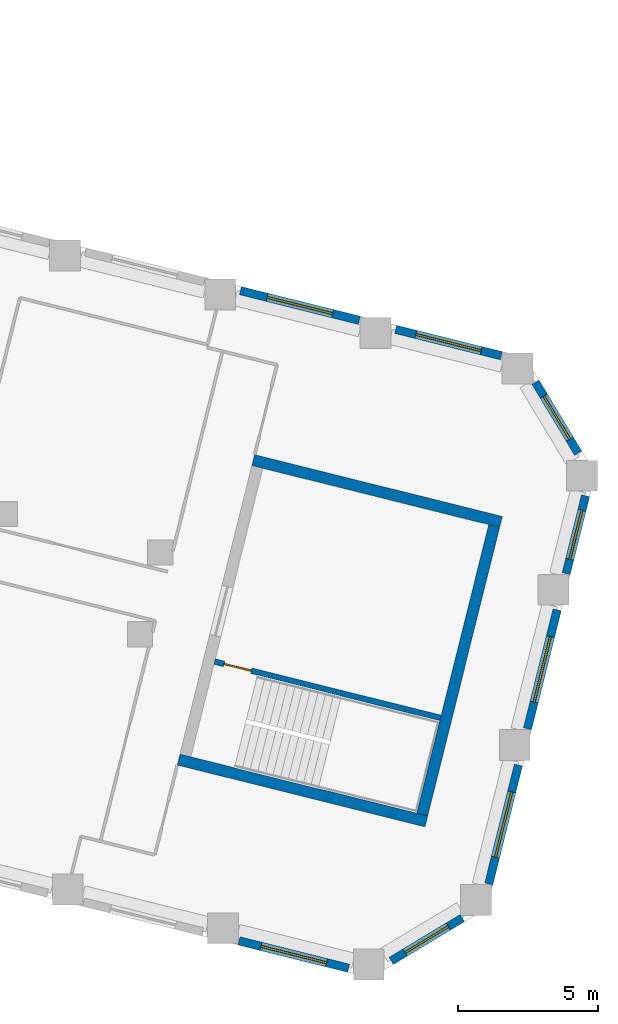
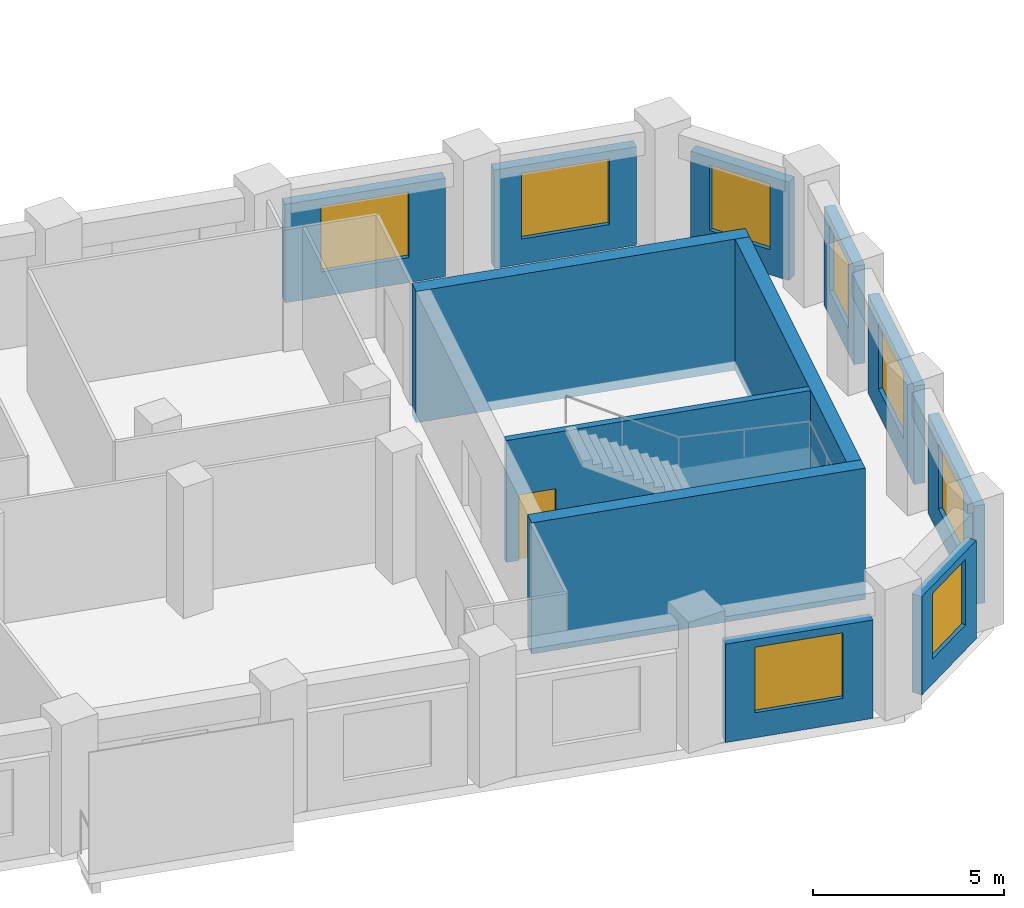
# One storey, part 7 of 10: 12 walls, 8 windows, 1 door, 9 openings.
"""IFC4 building model written with IfcOpenShell, lengths in metres."""

from ifc_helpers import new_model, si_unit, direction, frame, frame_2d, origin, place, context, subcontext, project, spatial, rectangle, extrude, material, layer, layer_set, type_object, element, fill, save


model = new_model("IFC4")

# Units and contexts
model_context = context("Model", 3, precision=1e-05, world=origin(), true_north=direction((0.0, 1.0)))
body_context = subcontext(model_context, "Body", "Model", "MODEL_VIEW")
ifc_project = project(units=[si_unit("LENGTHUNIT", "METRE"), si_unit("AREAUNIT", "SQUARE_METRE"), si_unit("VOLUMEUNIT", "CUBIC_METRE"), si_unit("PLANEANGLEUNIT", "RADIAN"), si_unit("MASSUNIT", "GRAM", prefix="KILO")], contexts=[model_context])

# Site, building, storey
site_placement = place(None, origin())
site = spatial("IfcSite", under=ifc_project, at=site_placement, CompositionType="ELEMENT")
building_placement = place(site_placement, origin())
building = spatial("IfcBuilding", under=site, at=building_placement, Name="Meshkara Civic Tower", CompositionType="ELEMENT")
storey_placement = place(building_placement, frame((0.0, 0.0, 229.800048828125)))
storey = spatial("IfcBuildingStorey", under=building, at=storey_placement, Name="L52", CompositionType="ELEMENT", Elevation=229.800048828125)

# Wall, opening, window
ifc_material_1 = material(Name="Insulated infill panel with bronze anodised aluminium cladding", Category="aluminium")
ifc_layer_1 = layer(ifc_material_1, 0.300048828125)
ifc_layer_set_1 = layer_set([ifc_layer_1], Name="EXTERNAL INFILL WALL 300")
wall_type_1 = type_object("IfcWallType", Name="EXTERNAL INFILL WALL 300", PredefinedType="SOLIDWALL", material=ifc_layer_set_1)
wall_1_placement = place(storey_placement, frame((71.02001953125, 5.635986328125, 0.0), z_axis=(0.0, 0.0, 1.0), x_axis=(-0.970297701374, 0.241913973777, 0.0)))
wall_1 = element("IfcWall", 1, at=wall_1_placement, inside=storey, type_object=wall_type_1, Name="External wall", PredefinedType="SOLIDWALL", context=body_context, shape_type="SweptSolid", body=[
    extrude(rectangle(XDim=3.88134765625, YDim=0.300048828125, at=frame_2d((1.940673828125, 0.0))), origin(), (0.0, 0.0, 1.0), 3.14990234375),
])
opening_1_placement = place(wall_1_placement, frame((0.740966796875, 0.0, 0.800048828125)))
opening_1 = element("IfcOpeningElement", 2, at=opening_1_placement, cuts=wall_1, Name="Opening W7", PredefinedType="OPENING", context=body_context, shape_type="SweptSolid", body=[
    extrude(rectangle(XDim=2.39990234375, YDim=2.10009765625, at=frame_2d((1.199951171875, 1.050048828125))), frame((0.0, 0.159912109375, 0.0), z_axis=(0.0, -1.0, 0.0), x_axis=(1.0, 0.0, 0.0)), (0.0, 0.0, 1.0), 0.320068359375),
])
ifc_material_2 = material(Name="Tinted double glazing", Category="glass")
window_type_1 = type_object("IfcWindowType", Name="WINDOW 2400x2100", PartitioningType="DOUBLE_PANEL_VERTICAL", PredefinedType="WINDOW", material=ifc_material_2)
window_1_placement = place(opening_1_placement, origin())
window_1 = element("IfcWindow", 3, at=window_1_placement, inside=storey, type_object=window_type_1, Name="Window", OverallHeight=2.10009765625, OverallWidth=2.39990234375, PartitioningType="DOUBLE_PANEL_VERTICAL", PredefinedType="WINDOW", context=body_context, shape_type="SweptSolid", body=[
    extrude(rectangle(XDim=2.39990234375, YDim=2.10009765625, at=frame_2d((1.199951171875, 1.050048828125))), frame((0.0, 0.030029296875, 0.0), z_axis=(0.0, -1.0, 0.0), x_axis=(1.0, 0.0, 0.0)), (0.0, 0.0, 1.0), 0.06005859375),
])
fill(opening_1, window_1)

wall_2_placement = place(storey_placement, frame((65.9599609375, 6.89794921875, 0.0), z_axis=(0.0, 0.0, 1.0), x_axis=(-0.970309996763, 0.241864652607, 0.0)))
wall_2 = element("IfcWall", 4, at=wall_2_placement, inside=storey, type_object=wall_type_1, Name="External wall", PredefinedType="SOLIDWALL", context=body_context, shape_type="SweptSolid", body=[
    extrude(rectangle(XDim=4.36669921875, YDim=0.300048828125, at=frame_2d((2.183349609375, 0.0))), origin(), (0.0, 0.0, 1.0), 3.14990234375),
])
opening_2_placement = place(wall_2_placement, frame((0.98291015625, 0.0, 0.800048828125)))
opening_2 = element("IfcOpeningElement", 5, at=opening_2_placement, cuts=wall_2, Name="Opening W7", PredefinedType="OPENING", context=body_context, shape_type="SweptSolid", body=[
    extrude(rectangle(XDim=2.39990234375, YDim=2.10009765625, at=frame_2d((1.199951171875, 1.050048828125))), frame((0.0, 0.159912109375, 0.0), z_axis=(0.0, -1.0, 0.0), x_axis=(1.0, 0.0, 0.0)), (0.0, 0.0, 1.0), 0.320068359375),
])
window_2_placement = place(opening_2_placement, origin())
window_2 = element("IfcWindow", 6, at=window_2_placement, inside=storey, type_object=window_type_1, Name="Window", OverallHeight=2.10009765625, OverallWidth=2.39990234375, PartitioningType="DOUBLE_PANEL_VERTICAL", PredefinedType="WINDOW", context=body_context, shape_type="SweptSolid", body=[
    extrude(rectangle(XDim=2.39990234375, YDim=2.10009765625, at=frame_2d((1.199951171875, 1.050048828125))), frame((0.0, 0.030029296875, 0.0), z_axis=(0.0, -1.0, 0.0), x_axis=(1.0, 0.0, 0.0)), (0.0, 0.0, 1.0), 0.06005859375),
])
fill(opening_2, window_2)

wall_3_placement = place(storey_placement, frame((61.6708984375, -15.220947265625, 0.0), z_axis=(0.0, 0.0, 1.0), x_axis=(0.97026726112, -0.242036034503, 0.0)))
wall_3 = element("IfcWall", 7, at=wall_3_placement, inside=storey, type_object=wall_type_1, Name="External wall", PredefinedType="SOLIDWALL", context=body_context, shape_type="SweptSolid", body=[
    extrude(rectangle(XDim=4.024658203125, YDim=0.300048828125, at=frame_2d((2.01220703125, 0.0))), origin(), (0.0, 0.0, 1.0), 3.14990234375),
])
opening_3_placement = place(wall_3_placement, frame((0.81201171875, 0.0, 0.800048828125)))
opening_3 = element("IfcOpeningElement", 8, at=opening_3_placement, cuts=wall_3, Name="Opening W7", PredefinedType="OPENING", context=body_context, shape_type="SweptSolid", body=[
    extrude(rectangle(XDim=2.39990234375, YDim=2.10009765625, at=frame_2d((1.199951171875, 1.050048828125))), frame((0.0, 0.159912109375, 0.0), z_axis=(0.0, -1.0, 0.0), x_axis=(1.0, 0.0, 0.0)), (0.0, 0.0, 1.0), 0.320068359375),
])
window_3_placement = place(opening_3_placement, origin())
window_3 = element("IfcWindow", 9, at=window_3_placement, inside=storey, type_object=window_type_1, Name="Window", OverallHeight=2.10009765625, OverallWidth=2.39990234375, PartitioningType="DOUBLE_PANEL_VERTICAL", PredefinedType="WINDOW", context=body_context, shape_type="SweptSolid", body=[
    extrude(rectangle(XDim=2.39990234375, YDim=2.10009765625, at=frame_2d((1.199951171875, 1.050048828125))), frame((0.0, 0.030029296875, 0.0), z_axis=(0.0, -1.0, 0.0), x_axis=(1.0, 0.0, 0.0)), (0.0, 0.0, 1.0), 0.06005859375),
])
fill(opening_3, window_3)

wall_4_placement = place(storey_placement, frame((67.097900390625, -15.93408203125, 0.0), z_axis=(0.0, 0.0, 1.0), x_axis=(0.857077006791, 0.515188319384, 0.0)))
wall_4 = element("IfcWall", 10, at=wall_4_placement, inside=storey, type_object=wall_type_1, Name="External wall", PredefinedType="SOLIDWALL", context=body_context, shape_type="SweptSolid", body=[
    extrude(rectangle(XDim=2.9541015625, YDim=0.300048828125, at=frame_2d((1.47705078125, 0.0))), origin(), (0.0, 0.0, 1.0), 3.14990234375),
])
opening_4_placement = place(wall_4_placement, frame((0.576904296875, 0.0, 0.800048828125)))
opening_4 = element("IfcOpeningElement", 11, at=opening_4_placement, cuts=wall_4, Name="Opening W9", PredefinedType="OPENING", context=body_context, shape_type="SweptSolid", body=[
    extrude(rectangle(XDim=1.800048828125, YDim=2.10009765625, at=frame_2d((0.89990234375, 1.050048828125))), frame((0.0, 0.159912109375, 0.0), z_axis=(0.0, -1.0, 0.0), x_axis=(1.0, 0.0, 0.0)), (0.0, 0.0, 1.0), 0.320068359375),
])
ifc_material_3 = material(Name="Tinted double glazing", Category="glass")
window_type_2 = type_object("IfcWindowType", Name="WINDOW 1800x2100", PartitioningType="DOUBLE_PANEL_VERTICAL", PredefinedType="WINDOW", material=ifc_material_3)
window_4_placement = place(opening_4_placement, origin())
window_4 = element("IfcWindow", 12, at=window_4_placement, inside=storey, type_object=window_type_2, Name="Window", OverallHeight=2.10009765625, OverallWidth=1.800048828125, PartitioningType="DOUBLE_PANEL_VERTICAL", PredefinedType="WINDOW", context=body_context, shape_type="SweptSolid", body=[
    extrude(rectangle(XDim=1.800048828125, YDim=2.10009765625, at=frame_2d((0.89990234375, 1.050048828125))), frame((0.0, 0.030029296875, 0.0), z_axis=(0.0, -1.0, 0.0), x_axis=(1.0, 0.0, 0.0)), (0.0, 0.0, 1.0), 0.06005859375),
])
fill(opening_4, window_4)

wall_5_placement = place(storey_placement, frame((70.574951171875, -13.19189453125, 0.0), z_axis=(0.0, 0.0, 1.0), x_axis=(0.241877774353, 0.970306725873, 0.0)))
wall_5 = element("IfcWall", 13, at=wall_5_placement, inside=storey, type_object=wall_type_1, Name="External wall", PredefinedType="SOLIDWALL", context=body_context, shape_type="SweptSolid", body=[
    extrude(rectangle(XDim=4.366455078125, YDim=0.300048828125, at=frame_2d((2.18310546875, 0.0))), origin(), (0.0, 0.0, 1.0), 3.14990234375),
])
opening_5_placement = place(wall_5_placement, frame((0.98291015625, 0.0, 0.800048828125)))
opening_5 = element("IfcOpeningElement", 14, at=opening_5_placement, cuts=wall_5, Name="Opening W7", PredefinedType="OPENING", context=body_context, shape_type="SweptSolid", body=[
    extrude(rectangle(XDim=2.39990234375, YDim=2.10009765625, at=frame_2d((1.199951171875, 1.050048828125))), frame((0.0, 0.159912109375, 0.0), z_axis=(0.0, -1.0, 0.0), x_axis=(1.0, 0.0, 0.0)), (0.0, 0.0, 1.0), 0.320068359375),
])
window_5_placement = place(opening_5_placement, origin())
window_5 = element("IfcWindow", 15, at=window_5_placement, inside=storey, type_object=window_type_1, Name="Window", OverallHeight=2.10009765625, OverallWidth=2.39990234375, PartitioningType="DOUBLE_PANEL_VERTICAL", PredefinedType="WINDOW", context=body_context, shape_type="SweptSolid", body=[
    extrude(rectangle(XDim=2.39990234375, YDim=2.10009765625, at=frame_2d((1.199951171875, 1.050048828125))), frame((0.0, 0.030029296875, 0.0), z_axis=(0.0, -1.0, 0.0), x_axis=(1.0, 0.0, 0.0)), (0.0, 0.0, 1.0), 0.06005859375),
])
fill(opening_5, window_5)

wall_6_placement = place(storey_placement, frame((71.9541015625, -7.660888671875, 0.0), z_axis=(0.0, 0.0, 1.0), x_axis=(0.241877622649, 0.97030676369, 0.0)))
wall_6 = element("IfcWall", 16, at=wall_6_placement, inside=storey, type_object=wall_type_1, Name="External wall", PredefinedType="SOLIDWALL", context=body_context, shape_type="SweptSolid", body=[
    extrude(rectangle(XDim=4.365478515625, YDim=0.300048828125, at=frame_2d((2.1826171875, 0.0))), origin(), (0.0, 0.0, 1.0), 3.14990234375),
])
opening_6_placement = place(wall_6_placement, frame((0.98291015625, 0.0, 0.800048828125)))
opening_6 = element("IfcOpeningElement", 17, at=opening_6_placement, cuts=wall_6, Name="Opening W7", PredefinedType="OPENING", context=body_context, shape_type="SweptSolid", body=[
    extrude(rectangle(XDim=2.39990234375, YDim=2.10009765625, at=frame_2d((1.199951171875, 1.050048828125))), frame((0.0, 0.159912109375, 0.0), z_axis=(0.0, -1.0, 0.0), x_axis=(1.0, 0.0, 0.0)), (0.0, 0.0, 1.0), 0.320068359375),
])
window_6_placement = place(opening_6_placement, origin())
window_6 = element("IfcWindow", 18, at=window_6_placement, inside=storey, type_object=window_type_1, Name="Window", OverallHeight=2.10009765625, OverallWidth=2.39990234375, PartitioningType="DOUBLE_PANEL_VERTICAL", PredefinedType="WINDOW", context=body_context, shape_type="SweptSolid", body=[
    extrude(rectangle(XDim=2.39990234375, YDim=2.10009765625, at=frame_2d((1.199951171875, 1.050048828125))), frame((0.0, 0.030029296875, 0.0), z_axis=(0.0, -1.0, 0.0), x_axis=(1.0, 0.0, 0.0)), (0.0, 0.0, 1.0), 0.06005859375),
])
fill(opening_6, window_6)

wall_7_placement = place(storey_placement, frame((73.3330078125, -2.131103515625, 0.0), z_axis=(0.0, 0.0, 1.0), x_axis=(0.241770612026, 0.970333432981, 0.0)))
wall_7 = element("IfcWall", 19, at=wall_7_placement, inside=storey, type_object=wall_type_1, Name="External wall", PredefinedType="SOLIDWALL", context=body_context, shape_type="SweptSolid", body=[
    extrude(rectangle(XDim=2.853759765625, YDim=0.300048828125, at=frame_2d((1.4267578125, 0.0))), origin(), (0.0, 0.0, 1.0), 3.14990234375),
])
opening_7_placement = place(wall_7_placement, frame((0.527099609375, 0.0, 0.800048828125)))
opening_7 = element("IfcOpeningElement", 20, at=opening_7_placement, cuts=wall_7, Name="Opening W9", PredefinedType="OPENING", context=body_context, shape_type="SweptSolid", body=[
    extrude(rectangle(XDim=1.800048828125, YDim=2.10009765625, at=frame_2d((0.89990234375, 1.050048828125))), frame((0.0, 0.159912109375, 0.0), z_axis=(0.0, -1.0, 0.0), x_axis=(1.0, 0.0, 0.0)), (0.0, 0.0, 1.0), 0.320068359375),
])
window_7_placement = place(opening_7_placement, origin())
window_7 = element("IfcWindow", 21, at=window_7_placement, inside=storey, type_object=window_type_2, Name="Window", OverallHeight=2.10009765625, OverallWidth=1.800048828125, PartitioningType="DOUBLE_PANEL_VERTICAL", PredefinedType="WINDOW", context=body_context, shape_type="SweptSolid", body=[
    extrude(rectangle(XDim=1.800048828125, YDim=2.10009765625, at=frame_2d((0.89990234375, 1.050048828125))), frame((0.0, 0.030029296875, 0.0), z_axis=(0.0, -1.0, 0.0), x_axis=(1.0, 0.0, 0.0)), (0.0, 0.0, 1.0), 0.06005859375),
])
fill(opening_7, window_7)

wall_8_placement = place(storey_placement, frame((73.761962890625, 2.159912109375, 0.0), z_axis=(0.0, 0.0, 1.0), x_axis=(-0.515334317037, 0.856989230786, 0.0)))
wall_8 = element("IfcWall", 22, at=wall_8_placement, inside=storey, type_object=wall_type_1, Name="External wall", PredefinedType="SOLIDWALL", context=body_context, shape_type="SweptSolid", body=[
    extrude(rectangle(XDim=2.953369140625, YDim=0.300048828125, at=frame_2d((1.4765625, 0.0))), origin(), (0.0, 0.0, 1.0), 3.14990234375),
])
opening_8_placement = place(wall_8_placement, frame((0.576904296875, 0.0, 0.800048828125)))
opening_8 = element("IfcOpeningElement", 23, at=opening_8_placement, cuts=wall_8, Name="Opening W9", PredefinedType="OPENING", context=body_context, shape_type="SweptSolid", body=[
    extrude(rectangle(XDim=1.800048828125, YDim=2.10009765625, at=frame_2d((0.89990234375, 1.050048828125))), frame((0.0, 0.159912109375, 0.0), z_axis=(0.0, -1.0, 0.0), x_axis=(1.0, 0.0, 0.0)), (0.0, 0.0, 1.0), 0.320068359375),
])
window_8_placement = place(opening_8_placement, origin())
window_8 = element("IfcWindow", 24, at=window_8_placement, inside=storey, type_object=window_type_2, Name="Window", OverallHeight=2.10009765625, OverallWidth=1.800048828125, PartitioningType="DOUBLE_PANEL_VERTICAL", PredefinedType="WINDOW", context=body_context, shape_type="SweptSolid", body=[
    extrude(rectangle(XDim=1.800048828125, YDim=2.10009765625, at=frame_2d((0.89990234375, 1.050048828125))), frame((0.0, 0.030029296875, 0.0), z_axis=(0.0, -1.0, 0.0), x_axis=(1.0, 0.0, 0.0)), (0.0, 0.0, 1.0), 0.06005859375),
])
fill(opening_8, window_8)

# Walls
ifc_material_4 = material(Name="Concrete C60", Category="concrete")
ifc_layer_2 = layer(ifc_material_4, 0.39990234375)
ifc_layer_set_2 = layer_set([ifc_layer_2], Name="End core ring wall 400 C60")
wall_type_2 = type_object("IfcWallType", Name="End core ring wall 400 C60", PredefinedType="SHEAR", material=ifc_layer_set_2)
wall_9_placement = place(storey_placement, frame((59.51904296875, -8.759033203125, -0.300048828125), z_axis=(0.0, 0.0, 1.0), x_axis=(0.970287509026, -0.241954850805, 0.0)))
element("IfcWall", 25, at=wall_9_placement, inside=storey, type_object=wall_type_2, Name="L52-C028", PredefinedType="SHEAR", context=body_context, shape_type="SweptSolid", body=[
    extrude(rectangle(XDim=9.1005859375, YDim=0.39990234375, at=frame_2d((4.55029296875, 0.0))), origin(), (0.0, 0.0, 1.0), 4.199951171875),
])
wall_10_placement = place(storey_placement, frame((62.179931640625, 1.9140625, -0.300048828125), z_axis=(0.0, 0.0, 1.0), x_axis=(0.970306400786, -0.241879078453, 0.0)))
element("IfcWall", 26, at=wall_10_placement, inside=storey, type_object=wall_type_2, Name="L52-C029", PredefinedType="SHEAR", context=body_context, shape_type="SweptSolid", body=[
    extrude(rectangle(XDim=9.100341796875, YDim=0.39990234375, at=frame_2d((4.55029296875, 0.0))), origin(), (0.0, 0.0, 1.0), 4.199951171875),
])
wall_11_placement = place(storey_placement, frame((68.202880859375, -10.718017578125, -0.300048828125), z_axis=(0.0, 0.0, 1.0), x_axis=(0.241912337509, 0.970298109326, 0.0)))
element("IfcWall", 27, at=wall_11_placement, inside=storey, type_object=wall_type_2, Name="L52-C031", PredefinedType="SHEAR", context=body_context, shape_type="SweptSolid", body=[
    extrude(rectangle(XDim=10.599853515625, YDim=0.39990234375, at=frame_2d((5.2998046875, 0.0))), origin(), (0.0, 0.0, 1.0), 4.199951171875),
])

# Wall, opening, door
ifc_material_5 = material(Name="Concrete C40/50", Category="concrete")
ifc_layer_3 = layer(ifc_material_5, 0.199951171875)
ifc_layer_set_3 = layer_set([ifc_layer_3], Name="Stair enclosure wall 200 C40/50")
wall_type_3 = type_object("IfcWallType", Name="Stair enclosure wall 200 C40/50", PredefinedType="SOLIDWALL", material=ifc_layer_set_3)
wall_12_placement = place(storey_placement, frame((60.802001953125, -5.26611328125, 0.0), z_axis=(0.0, 0.0, 1.0), x_axis=(0.970303192681, -0.241891947516, 0.0)))
wall_12 = element("IfcWall", 28, at=wall_12_placement, inside=storey, type_object=wall_type_3, Name="L52-C032", PredefinedType="SOLIDWALL", context=body_context, shape_type="SweptSolid", body=[
    extrude(rectangle(XDim=8.300537109375, YDim=0.199951171875, at=frame_2d((4.150390625, 0.0))), origin(), (0.0, 0.0, 1.0), 3.89990234375),
])
opening_9_placement = place(wall_12_placement, frame((0.35009765625, 0.0, 0.0)))
opening_9 = element("IfcOpeningElement", 29, at=opening_9_placement, cuts=wall_12, Name="Opening L52-K201", PredefinedType="OPENING", context=body_context, shape_type="SweptSolid", body=[
    extrude(rectangle(XDim=1.0, YDim=2.10009765625, at=frame_2d((0.5, 1.050048828125))), frame((0.0, 0.10986328125, 0.0), z_axis=(0.0, -1.0, 0.0), x_axis=(1.0, 0.0, 0.0)), (0.0, 0.0, 1.0), 0.219970703125),
])
ifc_material_6 = material(Name="Fire-rated door leaf in steel frame", Category="steel")
door_type = type_object("IfcDoorType", Name="Stair door 1000 EI 120", OperationType="SINGLE_SWING_LEFT", PredefinedType="DOOR", material=ifc_material_6)
door_placement = place(opening_9_placement, origin())
door = element("IfcDoor", 30, at=door_placement, inside=storey, type_object=door_type, Name="L52-K201", OperationType="SINGLE_SWING_LEFT", OverallHeight=2.10009765625, OverallWidth=1.0, PredefinedType="DOOR", context=body_context, shape_type="SweptSolid", body=[
    extrude(rectangle(XDim=1.0, YDim=2.10009765625, at=frame_2d((0.5, 1.050048828125))), frame((0.0, 0.02490234375, 0.0), z_axis=(0.0, -1.0, 0.0), x_axis=(1.0, 0.0, 0.0)), (0.0, 0.0, 1.0), 0.050048828125),
])
fill(opening_9, door)

save(model, "model.ifc")
